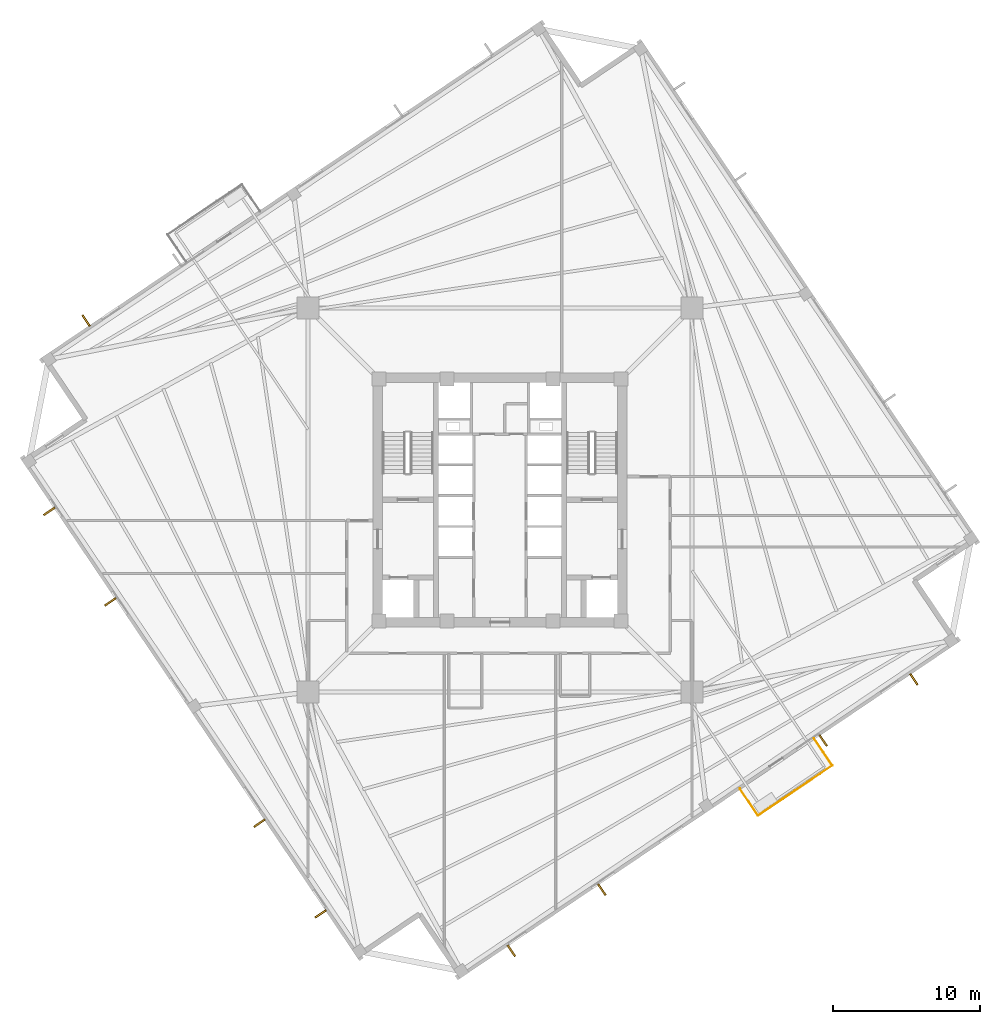
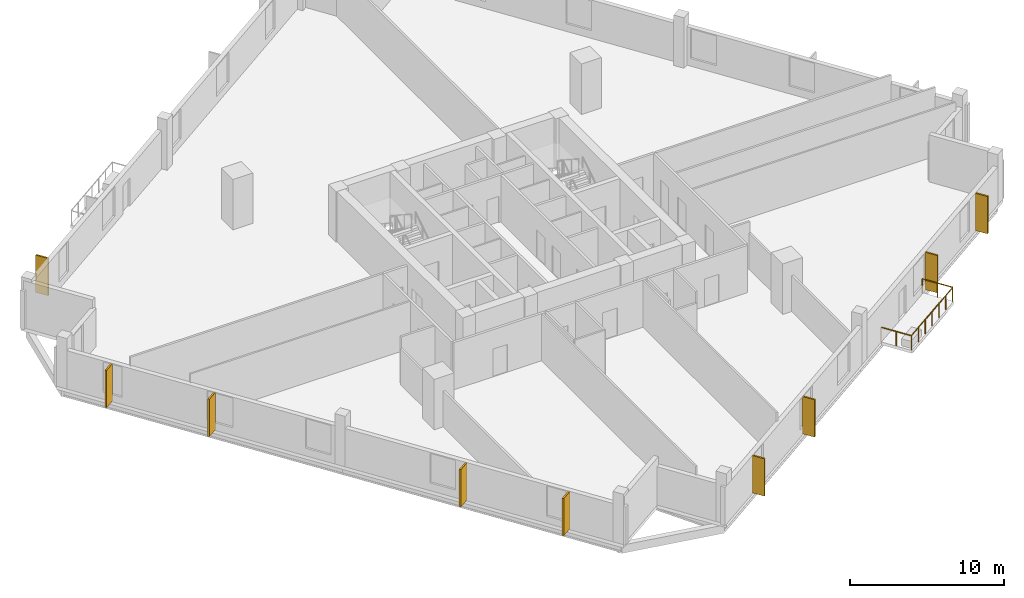
# One storey, part 6 of 8: 9 coverings, 3 railings.
"""IFC4 building model written with IfcOpenShell, lengths in metres."""

from ifc_helpers import new_model, si_unit, direction, frame, origin, origin_2d, place, context, subcontext, project, spatial, rectangle, circle, extrude, source, transform, mapped, material, layer, layer_set, type_object, element, save


model = new_model("IFC4")

# Units and contexts
model_context = context("Model", 3, precision=1e-05, world=origin(), true_north=direction((0.0, 1.0)))
body_context = subcontext(model_context, "Body", "Model", "MODEL_VIEW")
ifc_project = project(units=[si_unit("LENGTHUNIT", "METRE"), si_unit("AREAUNIT", "SQUARE_METRE"), si_unit("VOLUMEUNIT", "CUBIC_METRE"), si_unit("PLANEANGLEUNIT", "RADIAN"), si_unit("MASSUNIT", "GRAM", prefix="KILO"), si_unit("THERMODYNAMICTEMPERATUREUNIT", "KELVIN")], contexts=[model_context])

# Site, building, storey
site_placement = place(None, origin())
site = spatial("IfcSite", under=ifc_project, at=site_placement, CompositionType="ELEMENT")
building_placement = place(site_placement, origin())
building = spatial("IfcBuilding", under=site, at=building_placement, Name="Kosmvard Interchange Tower", CompositionType="ELEMENT")
storey_placement = place(building_placement, frame((0.0, 0.0, 172.39990234375)))
storey = spatial("IfcBuildingStorey", under=building, at=storey_placement, Name="L41", CompositionType="ELEMENT", Elevation=172.39990234375)

# Coverings
ifc_material_1 = material(Name="Architectural anodised aluminium", Category="aluminium")
ifc_layer = layer(ifc_material_1, 0.1201171875, Name="Architectural anodised aluminium")
ifc_layer_set = layer_set([ifc_layer], Name="Architectural anodised aluminium")
covering_type = type_object("IfcCoveringType", Name="Rotating Vertical Sun-Breaker Fin 900x120 Aluminium", PredefinedType="CLADDING", material=ifc_layer_set)
shared_shape_1 = source(origin(), body_context, "Body", "SweptSolid", [
    extrude(rectangle(XDim=0.89990234375, YDim=0.1201171875, at=origin_2d()), origin(), (0.0, 0.0, 1.0), 2.9599609375),
])
for number, where, z_axis, x_axis, name in (
    (1, (0.774169921875, -30.718994140625, 0.0400390625), (0.0, 0.0, 1.0), (0.562516359159, -0.826786154745, 0.0), "L41 Rotating Vertical Sun-Breaker Fin 01"),
    (2, (6.943115234375, -26.557861328125, 0.0400390625), (0.0, 0.0, 1.0), (0.562516359159, -0.826786154745, 0.0), "L41 Rotating Vertical Sun-Breaker Fin 02"),
    (3, (22.02294921875, -16.38623046875, 0.0400390625), (0.0, 0.0, 1.0), (0.562516359159, -0.826786154745, 0.0), "L41 Rotating Vertical Sun-Breaker Fin 03"),
    (4, (28.192138671875, -12.225341796875, 0.0400390625), (0.0, 0.0, 1.0), (0.562516359159, -0.826786154745, 0.0), "L41 Rotating Vertical Sun-Breaker Fin 04"),
    (5, (-28.192138671875, 12.225341796875, 0.0400390625), (0.0, 0.0, 1.0), (-0.562516359159, 0.826786154745, 0.0), "L41 Rotating Vertical Sun-Breaker Fin 12"),
    (6, (-30.718994140625, -0.774169921875, 0.0400390625), (0.0, 0.0, 1.0), (-0.826786154745, -0.562516359159, 0.0), "L41 Rotating Vertical Sun-Breaker Fin 13"),
    (7, (-26.557861328125, -6.943115234375, 0.0400390625), (0.0, 0.0, 1.0), (-0.826786154745, -0.562516359159, 0.0), "L41 Rotating Vertical Sun-Breaker Fin 14"),
    (8, (-16.38623046875, -22.02294921875, 0.0400390625), (0.0, 0.0, 1.0), (-0.826786154745, -0.562516359159, 0.0), "L41 Rotating Vertical Sun-Breaker Fin 15"),
    (9, (-12.225341796875, -28.192138671875, 0.0400390625), (0.0, 0.0, 1.0), (-0.826786154745, -0.562516359159, 0.0), "L41 Rotating Vertical Sun-Breaker Fin 16"),
):
    element("IfcCovering", number, at=place(storey_placement, frame(where, z_axis=z_axis, x_axis=x_axis)), inside=storey, type_object=covering_type, Name=name, PredefinedType="CLADDING", context=body_context, shape_type="MappedRepresentation", body=[
        mapped(shared_shape_1, transform((0.0, 0.0, 0.0), scale=1.0)),
    ])

# Railings
ifc_material_2 = material(Name="Steel S355", Category="steel")
railing_type = type_object("IfcRailingType", Name="Observation & Balcony Glass-Infill Balustrade 1150", PredefinedType="BALUSTRADE", material=ifc_material_2)
shared_shape_2 = source(origin(), body_context, "Body", "SweptSolid", [
    extrude(circle(Radius=0.02392578125, at=origin_2d()), frame((0.0, 0.0, 1.1259765625), z_axis=(0.559173597279, -0.829050594418, 0.0), x_axis=(0.829050594418, 0.559173597279, 0.0)), (0.0, 0.0, 1.0), 2.2001953125),
    extrude(circle(Radius=0.02099609375, at=origin_2d()), origin(), (0.0, 0.0, 1.0), 1.101806640625),
    extrude(circle(Radius=0.02099609375, at=origin_2d()), frame((0.615234375, -0.912109375, 0.0)), (0.0, 0.0, 1.0), 1.101806640625),
    extrude(circle(Radius=0.02099609375, at=origin_2d()), frame((1.230224609375, -1.823974609375, 0.0)), (0.0, 0.0, 1.0), 1.101806640625),
])
railing_1_placement = place(storey_placement, frame((16.345458984375, -19.673095703125, 0.0)))
element("IfcRailing", 10, at=railing_1_placement, inside=storey, type_object=railing_type, Name="L41 Outdoor Terrace Guard BAL-L41-SW-A", PredefinedType="BALUSTRADE", context=body_context, shape_type="MappedRepresentation", body=[
    mapped(shared_shape_2, transform((0.0, 0.0, 0.0), scale=1.0)),
])
shared_shape_3 = source(origin(), body_context, "Body", "SweptSolid", [
    extrude(circle(Radius=0.02392578125, at=origin_2d()), frame((0.0, 0.0, 1.1259765625), z_axis=(0.829033294248, 0.55919924627, 0.0), x_axis=(-0.55919924627, 0.829033294248, 0.0)), (0.0, 0.0, 1.0), 6.10009765625),
    extrude(circle(Radius=0.02099609375, at=origin_2d()), origin(), (0.0, 0.0, 1.0), 1.101806640625),
    extrude(circle(Radius=0.02099609375, at=origin_2d()), frame((0.8427734375, 0.568603515625, 0.0)), (0.0, 0.0, 1.0), 1.101806640625),
    extrude(circle(Radius=0.02099609375, at=origin_2d()), frame((1.685791015625, 1.136962890625, 0.0)), (0.0, 0.0, 1.0), 1.101806640625),
    extrude(circle(Radius=0.02099609375, at=origin_2d()), frame((2.528564453125, 1.70556640625, 0.0)), (0.0, 0.0, 1.0), 1.101806640625),
    extrude(circle(Radius=0.02099609375, at=origin_2d()), frame((3.371337890625, 2.274169921875, 0.0)), (0.0, 0.0, 1.0), 1.101806640625),
    extrude(circle(Radius=0.02099609375, at=origin_2d()), frame((4.21435546875, 2.842529296875, 0.0)), (0.0, 0.0, 1.0), 1.101806640625),
    extrude(circle(Radius=0.02099609375, at=origin_2d()), frame((5.05712890625, 3.4111328125, 0.0)), (0.0, 0.0, 1.0), 1.101806640625),
])
railing_2_placement = place(storey_placement, frame((17.57568359375, -21.4970703125, 0.0)))
element("IfcRailing", 11, at=railing_2_placement, inside=storey, type_object=railing_type, Name="L41 Outdoor Terrace Guard BAL-L41-SW-B", PredefinedType="BALUSTRADE", context=body_context, shape_type="MappedRepresentation", body=[
    mapped(shared_shape_3, transform((0.0, 0.0, 0.0), scale=1.0)),
])
shared_shape_4 = source(origin(), body_context, "Body", "SweptSolid", [
    extrude(circle(Radius=0.02392578125, at=origin_2d()), frame((0.0, 0.0, 1.1259765625), z_axis=(-0.559173597279, 0.829050594418, 0.0), x_axis=(-0.829050594418, -0.559173597279, 0.0)), (0.0, 0.0, 1.0), 2.2001953125),
    extrude(circle(Radius=0.02099609375, at=origin_2d()), origin(), (0.0, 0.0, 1.0), 1.101806640625),
    extrude(circle(Radius=0.02099609375, at=origin_2d()), frame((-0.615234375, 0.912109375, 0.0)), (0.0, 0.0, 1.0), 1.101806640625),
    extrude(circle(Radius=0.02099609375, at=origin_2d()), frame((-1.230224609375, 1.823974609375, 0.0)), (0.0, 0.0, 1.0), 1.101806640625),
])
railing_3_placement = place(storey_placement, frame((22.6328125, -18.0859375, 0.0)))
element("IfcRailing", 12, at=railing_3_placement, inside=storey, type_object=railing_type, Name="L41 Outdoor Terrace Guard BAL-L41-SW-C", PredefinedType="BALUSTRADE", context=body_context, shape_type="MappedRepresentation", body=[
    mapped(shared_shape_4, transform((0.0, 0.0, 0.0), scale=1.0)),
])

save(model, "model.ifc")
